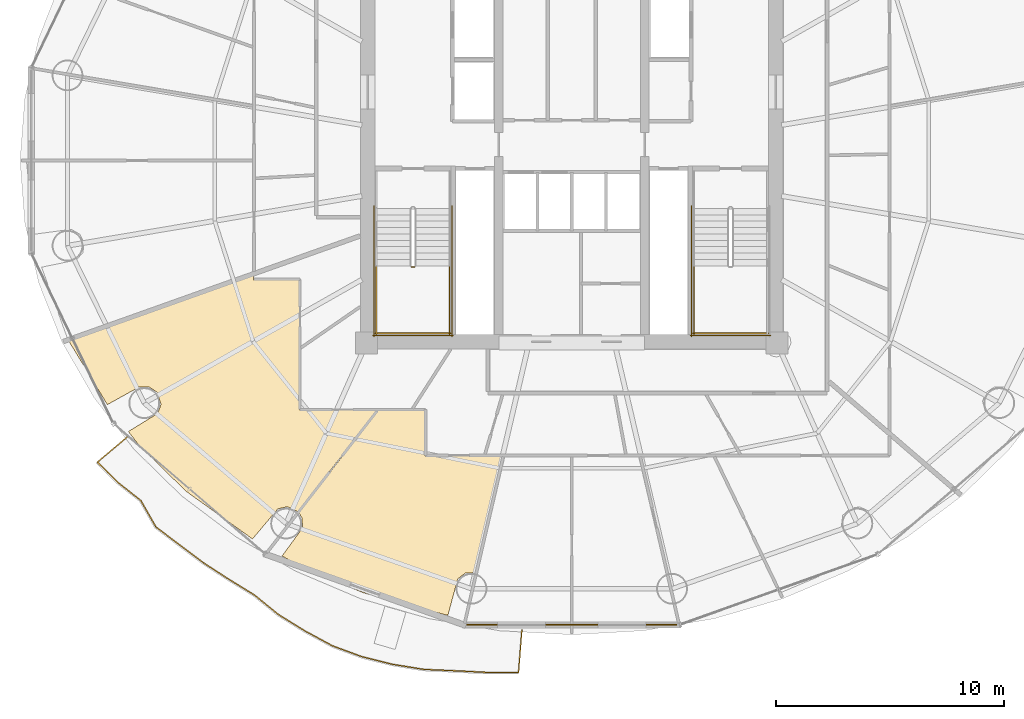
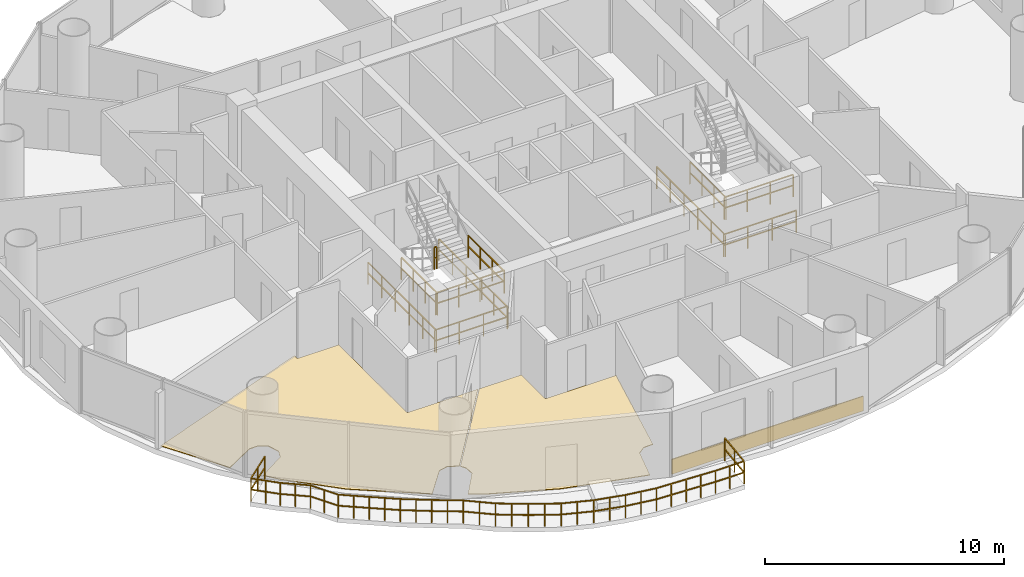
# One storey, part 25 of 27: 12 railings, 3 coverings.
"""IFC4 building model written with IfcOpenShell, lengths in metres."""

from ifc_helpers import new_model, si_unit, direction, frame, origin, origin_2d, place, context, subcontext, project, spatial, polyline, rectangle, outline, extrude, source, transform, mapped, material, layer, layer_set, type_object, element, save


model = new_model("IFC4")

# Units and contexts
model_context = context("Model", 3, precision=1e-05, world=origin(), true_north=direction((-0.2419218956, 0.970295726276)))
body_context = subcontext(model_context, "Body", "Model", "MODEL_VIEW")
ifc_project = project(units=[si_unit("LENGTHUNIT", "METRE"), si_unit("AREAUNIT", "SQUARE_METRE"), si_unit("VOLUMEUNIT", "CUBIC_METRE"), si_unit("PLANEANGLEUNIT", "RADIAN"), si_unit("MASSUNIT", "GRAM", prefix="KILO")], contexts=[model_context])

# Site, building, storey
site_placement = place(None, origin())
site = spatial("IfcSite", under=ifc_project, at=site_placement, CompositionType="ELEMENT")
building_placement = place(site_placement, origin())
building = spatial("IfcBuilding", under=site, at=building_placement, Name="Cobrevalo Terracotta Tower", CompositionType="ELEMENT")
storey_placement = place(building_placement, frame((0.0, 0.0, 146.199951171875)))
storey = spatial("IfcBuildingStorey", under=building, at=storey_placement, Name="L38", CompositionType="ELEMENT", Elevation=146.199951171875)

# Railing
ifc_material_1 = material(Name="Laminated structural glass and stainless steel", Category="steel")
railing_type_1 = type_object("IfcRailingType", Name="Balcony lobe structural glass & terracotta-cap balustrade 1180 mm", PredefinedType="BALUSTRADE", material=ifc_material_1)
railing_1_placement = place(storey_placement, frame((18.499755859375, 14.6708984375, 0.0)))
element("IfcRailing", 1, at=railing_1_placement, inside=storey, type_object=railing_type_1, Name="L38 spiralling balcony lobe balustrade 2", PredefinedType="BALUSTRADE", context=body_context, shape_type="SweptSolid", body=[
    extrude(rectangle(XDim=0.048095703125, YDim=0.048095703125, at=origin_2d()), frame((0.0, 0.0, 1.15576171875), z_axis=(-0.765211547873, -0.643778911585, 0.0), x_axis=(0.643778911585, -0.765211547873, 0.0)), (0.0, 0.0, 1.0), 1.70703125),
    extrude(rectangle(XDim=0.048095703125, YDim=0.048095703125, at=origin_2d()), frame((0.0, 0.0, 0.58984375), z_axis=(-0.765211547873, -0.643778911585, 0.0), x_axis=(0.643778911585, -0.765211547873, 0.0)), (0.0, 0.0, 1.0), 1.70703125),
    extrude(rectangle(XDim=0.048095703125, YDim=0.048095703125, at=origin_2d()), frame((-1.30615234375, -1.098876953125, 1.15576171875), z_axis=(0.71037992519, -0.703818415422, 0.0), x_axis=(0.703818415422, 0.71037992519, 0.0)), (0.0, 0.0, 1.0), 1.26513671875),
    extrude(rectangle(XDim=0.048095703125, YDim=0.048095703125, at=origin_2d()), frame((-1.30615234375, -1.098876953125, 0.58984375), z_axis=(0.71037992519, -0.703818415422, 0.0), x_axis=(0.703818415422, 0.71037992519, 0.0)), (0.0, 0.0, 1.0), 1.26513671875),
    extrude(rectangle(XDim=0.048095703125, YDim=0.048095703125, at=origin_2d()), frame((-0.407470703125, -1.9892578125, 1.15576171875), z_axis=(0.78546356705, -0.618907896893, 0.0), x_axis=(0.618907896893, 0.78546356705, 0.0)), (0.0, 0.0, 1.0), 1.279541015625),
    extrude(rectangle(XDim=0.048095703125, YDim=0.048095703125, at=origin_2d()), frame((-0.407470703125, -1.9892578125, 0.58984375), z_axis=(0.78546356705, -0.618907896893, 0.0), x_axis=(0.618907896893, 0.78546356705, 0.0)), (0.0, 0.0, 1.0), 1.279541015625),
    extrude(rectangle(XDim=0.048095703125, YDim=0.048095703125, at=origin_2d()), frame((0.59765625, -2.78125, 1.15576171875), z_axis=(0.496570458137, -0.867996417104, 0.0), x_axis=(0.867996417104, 0.496570458137, 0.0)), (0.0, 0.0, 1.0), 1.34033203125),
    extrude(rectangle(XDim=0.048095703125, YDim=0.048095703125, at=origin_2d()), frame((0.59765625, -2.78125, 0.58984375), z_axis=(0.496570458137, -0.867996417104, 0.0), x_axis=(0.867996417104, 0.496570458137, 0.0)), (0.0, 0.0, 1.0), 1.34033203125),
    extrude(rectangle(XDim=0.048095703125, YDim=0.048095703125, at=origin_2d()), frame((1.26318359375, -3.944580078125, 1.15576171875), z_axis=(0.797212008184, -0.603699440125, 0.0), x_axis=(0.603699440125, 0.797212008184, 0.0)), (0.0, 0.0, 1.0), 1.30712890625),
    extrude(rectangle(XDim=0.048095703125, YDim=0.048095703125, at=origin_2d()), frame((1.26318359375, -3.944580078125, 0.58984375), z_axis=(0.797212008184, -0.603699440125, 0.0), x_axis=(0.603699440125, 0.797212008184, 0.0)), (0.0, 0.0, 1.0), 1.30712890625),
    extrude(rectangle(XDim=0.048095703125, YDim=0.048095703125, at=origin_2d()), frame((2.30517578125, -4.733642578125, 1.15576171875), z_axis=(0.79950588355, -0.600658257389, 0.0), x_axis=(0.600658257389, 0.79950588355, 0.0)), (0.0, 0.0, 1.0), 1.30517578125),
    extrude(rectangle(XDim=0.048095703125, YDim=0.048095703125, at=origin_2d()), frame((2.30517578125, -4.733642578125, 0.58984375), z_axis=(0.79950588355, -0.600658257389, 0.0), x_axis=(0.600658257389, 0.79950588355, 0.0)), (0.0, 0.0, 1.0), 1.30517578125),
    extrude(rectangle(XDim=0.048095703125, YDim=0.048095703125, at=origin_2d()), frame((3.3486328125, -5.517578125, 1.15576171875), z_axis=(0.839295869754, -0.543674942418, 0.0), x_axis=(0.543674942418, 0.839295869754, 0.0)), (0.0, 0.0, 1.0), 1.31396484375),
    extrude(rectangle(XDim=0.048095703125, YDim=0.048095703125, at=origin_2d()), frame((3.3486328125, -5.517578125, 0.58984375), z_axis=(0.839295869754, -0.543674942418, 0.0), x_axis=(0.543674942418, 0.839295869754, 0.0)), (0.0, 0.0, 1.0), 1.31396484375),
    extrude(rectangle(XDim=0.048095703125, YDim=0.048095703125, at=origin_2d()), frame((4.451416015625, -6.23193359375, 1.15576171875), z_axis=(0.851721526371, -0.523994696077, 0.0), x_axis=(0.523994696077, 0.851721526371, 0.0)), (0.0, 0.0, 1.0), 1.325927734375),
    extrude(rectangle(XDim=0.048095703125, YDim=0.048095703125, at=origin_2d()), frame((4.451416015625, -6.23193359375, 0.58984375), z_axis=(0.851721526371, -0.523994696077, 0.0), x_axis=(0.523994696077, 0.851721526371, 0.0)), (0.0, 0.0, 1.0), 1.325927734375),
    extrude(rectangle(XDim=0.048095703125, YDim=0.048095703125, at=origin_2d()), frame((5.580810546875, -6.9267578125, 1.15576171875), z_axis=(0.775745938629, -0.631045353918, 0.0), x_axis=(0.631045353918, 0.775745938629, 0.0)), (0.0, 0.0, 1.0), 1.35986328125),
    extrude(rectangle(XDim=0.048095703125, YDim=0.048095703125, at=origin_2d()), frame((5.580810546875, -6.9267578125, 0.58984375), z_axis=(0.775745938629, -0.631045353918, 0.0), x_axis=(0.631045353918, 0.775745938629, 0.0)), (0.0, 0.0, 1.0), 1.35986328125),
    extrude(rectangle(XDim=0.048095703125, YDim=0.048095703125, at=origin_2d()), frame((6.6357421875, -7.784912109375, 1.15576171875), z_axis=(0.850819083963, -0.525458738975, 0.0), x_axis=(0.525458738975, 0.850819083963, 0.0)), (0.0, 0.0, 1.0), 1.3701171875),
    extrude(rectangle(XDim=0.048095703125, YDim=0.048095703125, at=origin_2d()), frame((6.6357421875, -7.784912109375, 0.58984375), z_axis=(0.850819083963, -0.525458738975, 0.0), x_axis=(0.525458738975, 0.850819083963, 0.0)), (0.0, 0.0, 1.0), 1.3701171875),
    extrude(rectangle(XDim=0.048095703125, YDim=0.048095703125, at=origin_2d()), frame((7.801513671875, -8.5048828125, 1.15576171875), z_axis=(0.879517881718, -0.47586583796, 0.0), x_axis=(0.47586583796, 0.879517881718, 0.0)), (0.0, 0.0, 1.0), 1.3759765625),
    extrude(rectangle(XDim=0.048095703125, YDim=0.048095703125, at=origin_2d()), frame((7.801513671875, -8.5048828125, 0.58984375), z_axis=(0.879517881718, -0.47586583796, 0.0), x_axis=(0.47586583796, 0.879517881718, 0.0)), (0.0, 0.0, 1.0), 1.3759765625),
    extrude(rectangle(XDim=0.048095703125, YDim=0.048095703125, at=origin_2d()), frame((9.01171875, -9.15966796875, 1.15576171875), z_axis=(0.938494188168, -0.345295031496, 0.0), x_axis=(0.345295031496, 0.938494188168, 0.0)), (0.0, 0.0, 1.0), 1.378662109375),
    extrude(rectangle(XDim=0.048095703125, YDim=0.048095703125, at=origin_2d()), frame((9.01171875, -9.15966796875, 0.58984375), z_axis=(0.938494188168, -0.345295031496, 0.0), x_axis=(0.345295031496, 0.938494188168, 0.0)), (0.0, 0.0, 1.0), 1.378662109375),
    extrude(rectangle(XDim=0.048095703125, YDim=0.048095703125, at=origin_2d()), frame((10.3056640625, -9.6357421875, 1.15576171875), z_axis=(0.970699518267, -0.240296577662, 0.0), x_axis=(0.240296577662, 0.970699518267, 0.0)), (0.0, 0.0, 1.0), 1.3857421875),
    extrude(rectangle(XDim=0.048095703125, YDim=0.048095703125, at=origin_2d()), frame((10.3056640625, -9.6357421875, 0.58984375), z_axis=(0.970699518267, -0.240296577662, 0.0), x_axis=(0.240296577662, 0.970699518267, 0.0)), (0.0, 0.0, 1.0), 1.3857421875),
    extrude(rectangle(XDim=0.048095703125, YDim=0.048095703125, at=origin_2d()), frame((11.65087890625, -9.96875, 1.15576171875), z_axis=(0.987090407855, -0.160164061889, 0.0), x_axis=(0.160164061889, 0.987090407855, 0.0)), (0.0, 0.0, 1.0), 1.384033203125),
    extrude(rectangle(XDim=0.048095703125, YDim=0.048095703125, at=origin_2d()), frame((11.65087890625, -9.96875, 0.58984375), z_axis=(0.987090407855, -0.160164061889, 0.0), x_axis=(0.160164061889, 0.987090407855, 0.0)), (0.0, 0.0, 1.0), 1.384033203125),
    extrude(rectangle(XDim=0.048095703125, YDim=0.048095703125, at=origin_2d()), frame((13.01708984375, -10.1904296875, 1.15576171875), z_axis=(0.999029931504, -0.044036302736, 0.0), x_axis=(0.044036302736, 0.999029931504, 0.0)), (0.0, 0.0, 1.0), 1.397216796875),
    extrude(rectangle(XDim=0.048095703125, YDim=0.048095703125, at=origin_2d()), frame((13.01708984375, -10.1904296875, 0.58984375), z_axis=(0.999029931504, -0.044036302736, 0.0), x_axis=(0.044036302736, 0.999029931504, 0.0)), (0.0, 0.0, 1.0), 1.397216796875),
    extrude(rectangle(XDim=0.048095703125, YDim=0.048095703125, at=origin_2d()), frame((14.412841796875, -10.251953125, 1.15576171875), z_axis=(0.998727504832, -0.050431846009, 0.0), x_axis=(0.050431846009, 0.998727504832, 0.0)), (0.0, 0.0, 1.0), 1.379638671875),
    extrude(rectangle(XDim=0.048095703125, YDim=0.048095703125, at=origin_2d()), frame((14.412841796875, -10.251953125, 0.58984375), z_axis=(0.998727504832, -0.050431846009, 0.0), x_axis=(0.050431846009, 0.998727504832, 0.0)), (0.0, 0.0, 1.0), 1.379638671875),
    extrude(rectangle(XDim=0.048095703125, YDim=0.048095703125, at=origin_2d()), frame((15.790771484375, -10.321533203125, 1.15576171875), z_axis=(0.999999748325, -0.000709471265, 0.0), x_axis=(0.000709471265, 0.999999748325, 0.0)), (0.0, 0.0, 1.0), 1.37646484375),
    extrude(rectangle(XDim=0.048095703125, YDim=0.048095703125, at=origin_2d()), frame((15.790771484375, -10.321533203125, 0.58984375), z_axis=(0.999999748325, -0.000709471265, 0.0), x_axis=(0.000709471265, 0.999999748325, 0.0)), (0.0, 0.0, 1.0), 1.37646484375),
    extrude(rectangle(XDim=0.048095703125, YDim=0.048095703125, at=origin_2d()), frame((17.167236328125, -10.322509765625, 1.15576171875), z_axis=(0.078313338129, 0.996928794384, 0.0), x_axis=(-0.996928794384, 0.078313338129, 0.0)), (0.0, 0.0, 1.0), 1.87060546875),
    extrude(rectangle(XDim=0.048095703125, YDim=0.048095703125, at=origin_2d()), frame((17.167236328125, -10.322509765625, 0.58984375), z_axis=(0.078313338129, 0.996928794384, 0.0), x_axis=(-0.996928794384, 0.078313338129, 0.0)), (0.0, 0.0, 1.0), 1.87060546875),
    extrude(rectangle(XDim=0.0419921875, YDim=0.0419921875, at=origin_2d()), origin(), (0.0, 0.0, 1.0), 1.1318359375),
    extrude(rectangle(XDim=0.0419921875, YDim=0.0419921875, at=origin_2d()), frame((-0.653076171875, -0.54931640625, 0.0)), (0.0, 0.0, 1.0), 1.1318359375),
    extrude(rectangle(XDim=0.0419921875, YDim=0.0419921875, at=origin_2d()), frame((-1.30615234375, -1.098876953125, 0.0)), (0.0, 0.0, 1.0), 1.1318359375),
    extrude(rectangle(XDim=0.0419921875, YDim=0.0419921875, at=origin_2d()), frame((-0.85693359375, -1.5439453125, 0.0)), (0.0, 0.0, 1.0), 1.1318359375),
    extrude(rectangle(XDim=0.0419921875, YDim=0.0419921875, at=origin_2d()), frame((-0.407470703125, -1.9892578125, 0.0)), (0.0, 0.0, 1.0), 1.1318359375),
    extrude(rectangle(XDim=0.0419921875, YDim=0.0419921875, at=origin_2d()), frame((0.09521484375, -2.38525390625, 0.0)), (0.0, 0.0, 1.0), 1.1318359375),
    extrude(rectangle(XDim=0.0419921875, YDim=0.0419921875, at=origin_2d()), frame((0.59765625, -2.78125, 0.0)), (0.0, 0.0, 1.0), 1.1318359375),
    extrude(rectangle(XDim=0.0419921875, YDim=0.0419921875, at=origin_2d()), frame((0.930419921875, -3.36279296875, 0.0)), (0.0, 0.0, 1.0), 1.1318359375),
    extrude(rectangle(XDim=0.0419921875, YDim=0.0419921875, at=origin_2d()), frame((1.26318359375, -3.944580078125, 0.0)), (0.0, 0.0, 1.0), 1.1318359375),
    extrude(rectangle(XDim=0.0419921875, YDim=0.0419921875, at=origin_2d()), frame((1.7841796875, -4.339111328125, 0.0)), (0.0, 0.0, 1.0), 1.1318359375),
    extrude(rectangle(XDim=0.0419921875, YDim=0.0419921875, at=origin_2d()), frame((2.30517578125, -4.733642578125, 0.0)), (0.0, 0.0, 1.0), 1.1318359375),
    extrude(rectangle(XDim=0.0419921875, YDim=0.0419921875, at=origin_2d()), frame((2.826904296875, -5.12548828125, 0.0)), (0.0, 0.0, 1.0), 1.1318359375),
    extrude(rectangle(XDim=0.0419921875, YDim=0.0419921875, at=origin_2d()), frame((3.3486328125, -5.517578125, 0.0)), (0.0, 0.0, 1.0), 1.1318359375),
    extrude(rectangle(XDim=0.0419921875, YDim=0.0419921875, at=origin_2d()), frame((3.89990234375, -5.874755859375, 0.0)), (0.0, 0.0, 1.0), 1.1318359375),
    extrude(rectangle(XDim=0.0419921875, YDim=0.0419921875, at=origin_2d()), frame((4.451416015625, -6.23193359375, 0.0)), (0.0, 0.0, 1.0), 1.1318359375),
    extrude(rectangle(XDim=0.0419921875, YDim=0.0419921875, at=origin_2d()), frame((5.01611328125, -6.579345703125, 0.0)), (0.0, 0.0, 1.0), 1.1318359375),
    extrude(rectangle(XDim=0.0419921875, YDim=0.0419921875, at=origin_2d()), frame((5.580810546875, -6.9267578125, 0.0)), (0.0, 0.0, 1.0), 1.1318359375),
    extrude(rectangle(XDim=0.0419921875, YDim=0.0419921875, at=origin_2d()), frame((6.1083984375, -7.35595703125, 0.0)), (0.0, 0.0, 1.0), 1.1318359375),
    extrude(rectangle(XDim=0.0419921875, YDim=0.0419921875, at=origin_2d()), frame((6.6357421875, -7.784912109375, 0.0)), (0.0, 0.0, 1.0), 1.1318359375),
    extrude(rectangle(XDim=0.0419921875, YDim=0.0419921875, at=origin_2d()), frame((7.21875, -8.14501953125, 0.0)), (0.0, 0.0, 1.0), 1.1318359375),
    extrude(rectangle(XDim=0.0419921875, YDim=0.0419921875, at=origin_2d()), frame((7.801513671875, -8.5048828125, 0.0)), (0.0, 0.0, 1.0), 1.1318359375),
    extrude(rectangle(XDim=0.0419921875, YDim=0.0419921875, at=origin_2d()), frame((8.40673828125, -8.832275390625, 0.0)), (0.0, 0.0, 1.0), 1.1318359375),
    extrude(rectangle(XDim=0.0419921875, YDim=0.0419921875, at=origin_2d()), frame((9.01171875, -9.15966796875, 0.0)), (0.0, 0.0, 1.0), 1.1318359375),
    extrude(rectangle(XDim=0.0419921875, YDim=0.0419921875, at=origin_2d()), frame((9.65869140625, -9.397705078125, 0.0)), (0.0, 0.0, 1.0), 1.1318359375),
    extrude(rectangle(XDim=0.0419921875, YDim=0.0419921875, at=origin_2d()), frame((10.3056640625, -9.6357421875, 0.0)), (0.0, 0.0, 1.0), 1.1318359375),
    extrude(rectangle(XDim=0.0419921875, YDim=0.0419921875, at=origin_2d()), frame((10.978271484375, -9.80224609375, 0.0)), (0.0, 0.0, 1.0), 1.1318359375),
    extrude(rectangle(XDim=0.0419921875, YDim=0.0419921875, at=origin_2d()), frame((11.65087890625, -9.96875, 0.0)), (0.0, 0.0, 1.0), 1.1318359375),
    extrude(rectangle(XDim=0.0419921875, YDim=0.0419921875, at=origin_2d()), frame((12.333984375, -10.07958984375, 0.0)), (0.0, 0.0, 1.0), 1.1318359375),
    extrude(rectangle(XDim=0.0419921875, YDim=0.0419921875, at=origin_2d()), frame((13.01708984375, -10.1904296875, 0.0)), (0.0, 0.0, 1.0), 1.1318359375),
    extrude(rectangle(XDim=0.0419921875, YDim=0.0419921875, at=origin_2d()), frame((13.71484375, -10.22119140625, 0.0)), (0.0, 0.0, 1.0), 1.1318359375),
    extrude(rectangle(XDim=0.0419921875, YDim=0.0419921875, at=origin_2d()), frame((14.412841796875, -10.251953125, 0.0)), (0.0, 0.0, 1.0), 1.1318359375),
    extrude(rectangle(XDim=0.0419921875, YDim=0.0419921875, at=origin_2d()), frame((15.101806640625, -10.28662109375, 0.0)), (0.0, 0.0, 1.0), 1.1318359375),
    extrude(rectangle(XDim=0.0419921875, YDim=0.0419921875, at=origin_2d()), frame((15.790771484375, -10.321533203125, 0.0)), (0.0, 0.0, 1.0), 1.1318359375),
    extrude(rectangle(XDim=0.0419921875, YDim=0.0419921875, at=origin_2d()), frame((16.47900390625, -10.322021484375, 0.0)), (0.0, 0.0, 1.0), 1.1318359375),
    extrude(rectangle(XDim=0.0419921875, YDim=0.0419921875, at=origin_2d()), frame((17.167236328125, -10.322509765625, 0.0)), (0.0, 0.0, 1.0), 1.1318359375),
    extrude(rectangle(XDim=0.0419921875, YDim=0.0419921875, at=origin_2d()), frame((17.240478515625, -9.39013671875, 0.0)), (0.0, 0.0, 1.0), 1.1318359375),
    extrude(rectangle(XDim=0.0419921875, YDim=0.0419921875, at=origin_2d()), frame((17.313720703125, -8.457763671875, 0.0)), (0.0, 0.0, 1.0), 1.1318359375),
])

# Coverings
ifc_material_2 = material(Name="Engineered Brazilian hardwood flooring", Category="wood")
ifc_layer_1 = layer(ifc_material_2, 0.028076171875)
ifc_layer_set_1 = layer_set([ifc_layer_1], Name="Engineered Brazilian hardwood flooring")
covering_type_1 = type_object("IfcCoveringType", Name="Engineered Hardwood Suite Flooring 28", PredefinedType="FLOORING", material=ifc_layer_set_1)
covering_1_placement = place(storey_placement, origin())
element("IfcCovering", 2, at=covering_1_placement, inside=storey, type_object=covering_type_1, Name="Flat L38B Living and Dining Room floor finish", PredefinedType="FLOORING", context=body_context, shape_type="SweptSolid", body=[
    extrude(outline(polyline([(21.0849609375, 12.291259765625), (19.02197265625, 14.309326171875), (18.551513671875, 14.91357421875), (19.834228515625, 15.705810546875), (19.988525390625, 16.10693359375), (19.810302734375, 16.64453125), (19.447265625, 16.874267578125), (19.017822265625, 16.863525390625), (17.632568359375, 16.09375), (15.918212890625, 18.917236328125), (24.044921875, 21.810546875), (24.044921875, 21.570068359375), (26.054931640625, 21.570068359375), (26.054931640625, 15.85498046875), (29.466064453125, 15.85498046875), (25.997802734375, 11.3935546875), (25.529296875, 11.615234375), (25.109619140625, 11.522705078125), (23.99755859375, 10.2001953125), (21.0849609375, 12.291259765625)])), origin(), (0.0, 0.0, 1.0), 0.030029296875),
])
covering_2_placement = place(storey_placement, origin())
element("IfcCovering", 3, at=covering_2_placement, inside=storey, type_object=covering_type_1, Name="Flat L38B Master Bedroom floor finish", PredefinedType="FLOORING", context=body_context, shape_type="SweptSolid", body=[
    extrude(outline(polyline([(28.84521484375, 7.84228515625), (26.038818359375, 9.02978515625), (25.295166015625, 9.4560546875), (26.184326171875, 10.67724609375), (26.175537109375, 11.106689453125), (26.02490234375, 11.363525390625), (29.5166015625, 15.85498046875), (31.570068359375, 15.85498046875), (31.570068359375, 13.844970703125), (34.9814453125, 13.844970703125), (33.796630859375, 8.72607421875), (33.3408203125, 8.7109375), (32.99951171875, 8.44970703125), (32.567138671875, 6.849853515625), (28.84521484375, 7.84228515625)])), origin(), (0.0, 0.0, 1.0), 0.030029296875),
])

# Railings
ifc_material_3 = material(Name="Painted galvanized steel", Category="steel")
railing_type_2 = type_object("IfcRailingType", Name="Stair Well Guard Balustrade 1150", PredefinedType="GUARDRAIL", material=ifc_material_3)
railing_2_placement = place(storey_placement, frame((30.97509765625, 22.1298828125, 1.800048828125)))
element("IfcRailing", 4, at=railing_2_placement, inside=storey, type_object=railing_type_2, Name="L38 ST-1 stair guard 2", PredefinedType="GUARDRAIL", context=body_context, shape_type="SweptSolid", body=[
    extrude(rectangle(XDim=0.048095703125, YDim=0.048095703125, at=origin_2d()), frame((0.0, 0.0, 1.1259765625), z_axis=(1.0, 0.0, 0.0), x_axis=(0.0, 1.0, 0.0)), (0.0, 0.0, 1.0), 0.119873046875),
    extrude(rectangle(XDim=0.048095703125, YDim=0.048095703125, at=origin_2d()), frame((0.0, 0.0, 0.574951171875), z_axis=(1.0, 0.0, 0.0), x_axis=(0.0, 1.0, 0.0)), (0.0, 0.0, 1.0), 0.119873046875),
    extrude(rectangle(XDim=0.0419921875, YDim=0.0419921875, at=origin_2d()), origin(), (0.0, 0.0, 1.0), 1.101806640625),
    extrude(rectangle(XDim=0.0419921875, YDim=0.0419921875, at=origin_2d()), frame((0.119873046875, 0.0, 0.0)), (0.0, 0.0, 1.0), 1.101806640625),
])
for number, where, name in (
    (5, (29.425048828125, 22.179931640625, 1.800048828125), "L38 ST-1 stair guard 3"),
    (6, (32.64501953125, 22.179931640625, 1.800048828125), "L38 ST-1 stair guard 4"),
):
    element("IfcRailing", number, at=place(storey_placement, frame(where)), inside=storey, type_object=railing_type_2, Name=name, PredefinedType="GUARDRAIL", context=body_context, shape_type="SweptSolid", body=[
        extrude(rectangle(XDim=0.048095703125, YDim=0.048095703125, at=origin_2d()), frame((0.0, 0.0, 1.1259765625), z_axis=(0.0, -1.0, 0.0), x_axis=(1.0, 0.0, 0.0)), (0.0, 0.0, 1.0), 3.0048828125),
        extrude(rectangle(XDim=0.048095703125, YDim=0.048095703125, at=origin_2d()), frame((0.0, 0.0, 0.574951171875), z_axis=(0.0, -1.0, 0.0), x_axis=(1.0, 0.0, 0.0)), (0.0, 0.0, 1.0), 3.0048828125),
        extrude(rectangle(XDim=0.0419921875, YDim=0.0419921875, at=origin_2d()), origin(), (0.0, 0.0, 1.0), 1.101806640625),
        extrude(rectangle(XDim=0.0419921875, YDim=0.0419921875, at=origin_2d()), frame((0.0, -1.001708984375, 0.0)), (0.0, 0.0, 1.0), 1.101806640625),
        extrude(rectangle(XDim=0.0419921875, YDim=0.0419921875, at=origin_2d()), frame((0.0, -2.003173828125, 0.0)), (0.0, 0.0, 1.0), 1.101806640625),
        extrude(rectangle(XDim=0.0419921875, YDim=0.0419921875, at=origin_2d()), frame((0.0, -3.0048828125, 0.0)), (0.0, 0.0, 1.0), 1.101806640625),
    ])
railing_3_placement = place(storey_placement, frame((29.375, 19.22509765625, 1.800048828125)))
element("IfcRailing", 7, at=railing_3_placement, inside=storey, type_object=railing_type_2, Name="L38 ST-1 stair guard 5", PredefinedType="GUARDRAIL", context=body_context, shape_type="SweptSolid", body=[
    extrude(rectangle(XDim=0.048095703125, YDim=0.048095703125, at=origin_2d()), frame((0.0, 0.0, 1.1259765625), z_axis=(1.0, 0.0, 0.0), x_axis=(0.0, 1.0, 0.0)), (0.0, 0.0, 1.0), 3.320068359375),
    extrude(rectangle(XDim=0.048095703125, YDim=0.048095703125, at=origin_2d()), frame((0.0, 0.0, 0.574951171875), z_axis=(1.0, 0.0, 0.0), x_axis=(0.0, 1.0, 0.0)), (0.0, 0.0, 1.0), 3.320068359375),
    extrude(rectangle(XDim=0.0419921875, YDim=0.0419921875, at=origin_2d()), origin(), (0.0, 0.0, 1.0), 1.101806640625),
    extrude(rectangle(XDim=0.0419921875, YDim=0.0419921875, at=origin_2d()), frame((1.106689453125, 0.0, 0.0)), (0.0, 0.0, 1.0), 1.101806640625),
    extrude(rectangle(XDim=0.0419921875, YDim=0.0419921875, at=origin_2d()), frame((2.21337890625, 0.0, 0.0)), (0.0, 0.0, 1.0), 1.101806640625),
    extrude(rectangle(XDim=0.0419921875, YDim=0.0419921875, at=origin_2d()), frame((3.320068359375, 0.0, 0.0)), (0.0, 0.0, 1.0), 1.101806640625),
])
for number, where, name in (
    (8, (29.324951171875, 24.800048828125, 0.0), "L38 ST-1 stair guard 10"),
    (9, (32.7451171875, 24.800048828125, 0.0), "L38 ST-1 stair guard 11"),
):
    element("IfcRailing", number, at=place(storey_placement, frame(where)), inside=storey, type_object=railing_type_2, Name=name, PredefinedType="GUARDRAIL", context=body_context, shape_type="SweptSolid", body=[
        extrude(rectangle(XDim=0.048095703125, YDim=0.048095703125, at=origin_2d()), frame((0.0, 0.0, 1.1259765625), z_axis=(0.0, -1.0, 0.0), x_axis=(1.0, 0.0, 0.0)), (0.0, 0.0, 1.0), 5.72509765625),
        extrude(rectangle(XDim=0.048095703125, YDim=0.048095703125, at=origin_2d()), frame((0.0, 0.0, 0.574951171875), z_axis=(0.0, -1.0, 0.0), x_axis=(1.0, 0.0, 0.0)), (0.0, 0.0, 1.0), 5.72509765625),
        extrude(rectangle(XDim=0.0419921875, YDim=0.0419921875, at=origin_2d()), origin(), (0.0, 0.0, 1.0), 1.101806640625),
        extrude(rectangle(XDim=0.0419921875, YDim=0.0419921875, at=origin_2d()), frame((0.0, -1.14501953125, 0.0)), (0.0, 0.0, 1.0), 1.101806640625),
        extrude(rectangle(XDim=0.0419921875, YDim=0.0419921875, at=origin_2d()), frame((0.0, -2.2900390625, 0.0)), (0.0, 0.0, 1.0), 1.101806640625),
        extrude(rectangle(XDim=0.0419921875, YDim=0.0419921875, at=origin_2d()), frame((0.0, -3.43505859375, 0.0)), (0.0, 0.0, 1.0), 1.101806640625),
        extrude(rectangle(XDim=0.0419921875, YDim=0.0419921875, at=origin_2d()), frame((0.0, -4.580078125, 0.0)), (0.0, 0.0, 1.0), 1.101806640625),
        extrude(rectangle(XDim=0.0419921875, YDim=0.0419921875, at=origin_2d()), frame((0.0, -5.72509765625, 0.0)), (0.0, 0.0, 1.0), 1.101806640625),
    ])
railing_4_placement = place(storey_placement, frame((29.27490234375, 19.125, 0.0)))
element("IfcRailing", 10, at=railing_4_placement, inside=storey, type_object=railing_type_2, Name="L38 ST-1 stair guard 12", PredefinedType="GUARDRAIL", context=body_context, shape_type="SweptSolid", body=[
    extrude(rectangle(XDim=0.048095703125, YDim=0.048095703125, at=origin_2d()), frame((0.0, 0.0, 1.1259765625), z_axis=(1.0, 0.0, 0.0), x_axis=(0.0, 1.0, 0.0)), (0.0, 0.0, 1.0), 3.52001953125),
    extrude(rectangle(XDim=0.048095703125, YDim=0.048095703125, at=origin_2d()), frame((0.0, 0.0, 0.574951171875), z_axis=(1.0, 0.0, 0.0), x_axis=(0.0, 1.0, 0.0)), (0.0, 0.0, 1.0), 3.52001953125),
    extrude(rectangle(XDim=0.0419921875, YDim=0.0419921875, at=origin_2d()), origin(), (0.0, 0.0, 1.0), 1.101806640625),
    extrude(rectangle(XDim=0.0419921875, YDim=0.0419921875, at=origin_2d()), frame((1.17333984375, 0.0, 0.0)), (0.0, 0.0, 1.0), 1.101806640625),
    extrude(rectangle(XDim=0.0419921875, YDim=0.0419921875, at=origin_2d()), frame((2.3466796875, 0.0, 0.0)), (0.0, 0.0, 1.0), 1.101806640625),
    extrude(rectangle(XDim=0.0419921875, YDim=0.0419921875, at=origin_2d()), frame((3.52001953125, 0.0, 0.0)), (0.0, 0.0, 1.0), 1.101806640625),
])
railing_5_placement = place(storey_placement, frame((43.35498046875, 22.179931640625, 1.800048828125)))
element("IfcRailing", 11, at=railing_5_placement, inside=storey, type_object=railing_type_2, Name="L38 ST-2 stair guard 3", PredefinedType="GUARDRAIL", context=body_context, shape_type="SweptSolid", body=[
    extrude(rectangle(XDim=0.048095703125, YDim=0.048095703125, at=origin_2d()), frame((0.0, 0.0, 1.1259765625), z_axis=(0.0, -1.0, 0.0), x_axis=(1.0, 0.0, 0.0)), (0.0, 0.0, 1.0), 3.0048828125),
    extrude(rectangle(XDim=0.048095703125, YDim=0.048095703125, at=origin_2d()), frame((0.0, 0.0, 0.574951171875), z_axis=(0.0, -1.0, 0.0), x_axis=(1.0, 0.0, 0.0)), (0.0, 0.0, 1.0), 3.0048828125),
    extrude(rectangle(XDim=0.0419921875, YDim=0.0419921875, at=origin_2d()), origin(), (0.0, 0.0, 1.0), 1.101806640625),
    extrude(rectangle(XDim=0.0419921875, YDim=0.0419921875, at=origin_2d()), frame((0.0, -1.001708984375, 0.0)), (0.0, 0.0, 1.0), 1.101806640625),
    extrude(rectangle(XDim=0.0419921875, YDim=0.0419921875, at=origin_2d()), frame((0.0, -2.003173828125, 0.0)), (0.0, 0.0, 1.0), 1.101806640625),
    extrude(rectangle(XDim=0.0419921875, YDim=0.0419921875, at=origin_2d()), frame((0.0, -3.0048828125, 0.0)), (0.0, 0.0, 1.0), 1.101806640625),
])
railing_6_placement = place(storey_placement, frame((43.304931640625, 19.22509765625, 1.800048828125)))
element("IfcRailing", 12, at=railing_6_placement, inside=storey, type_object=railing_type_2, Name="L38 ST-2 stair guard 5", PredefinedType="GUARDRAIL", context=body_context, shape_type="SweptSolid", body=[
    extrude(rectangle(XDim=0.048095703125, YDim=0.048095703125, at=origin_2d()), frame((0.0, 0.0, 1.1259765625), z_axis=(1.0, 0.0, 0.0), x_axis=(0.0, 1.0, 0.0)), (0.0, 0.0, 1.0), 3.320068359375),
    extrude(rectangle(XDim=0.048095703125, YDim=0.048095703125, at=origin_2d()), frame((0.0, 0.0, 0.574951171875), z_axis=(1.0, 0.0, 0.0), x_axis=(0.0, 1.0, 0.0)), (0.0, 0.0, 1.0), 3.320068359375),
    extrude(rectangle(XDim=0.0419921875, YDim=0.0419921875, at=origin_2d()), origin(), (0.0, 0.0, 1.0), 1.101806640625),
    extrude(rectangle(XDim=0.0419921875, YDim=0.0419921875, at=origin_2d()), frame((1.106689453125, 0.0, 0.0)), (0.0, 0.0, 1.0), 1.101806640625),
    extrude(rectangle(XDim=0.0419921875, YDim=0.0419921875, at=origin_2d()), frame((2.21337890625, 0.0, 0.0)), (0.0, 0.0, 1.0), 1.101806640625),
    extrude(rectangle(XDim=0.0419921875, YDim=0.0419921875, at=origin_2d()), frame((3.320068359375, 0.0, 0.0)), (0.0, 0.0, 1.0), 1.101806640625),
])
railing_7_placement = place(storey_placement, frame((43.2548828125, 24.800048828125, 0.0)))
element("IfcRailing", 13, at=railing_7_placement, inside=storey, type_object=railing_type_2, Name="L38 ST-2 stair guard 10", PredefinedType="GUARDRAIL", context=body_context, shape_type="SweptSolid", body=[
    extrude(rectangle(XDim=0.048095703125, YDim=0.048095703125, at=origin_2d()), frame((0.0, 0.0, 1.1259765625), z_axis=(0.0, -1.0, 0.0), x_axis=(1.0, 0.0, 0.0)), (0.0, 0.0, 1.0), 5.72509765625),
    extrude(rectangle(XDim=0.048095703125, YDim=0.048095703125, at=origin_2d()), frame((0.0, 0.0, 0.574951171875), z_axis=(0.0, -1.0, 0.0), x_axis=(1.0, 0.0, 0.0)), (0.0, 0.0, 1.0), 5.72509765625),
    extrude(rectangle(XDim=0.0419921875, YDim=0.0419921875, at=origin_2d()), origin(), (0.0, 0.0, 1.0), 1.101806640625),
    extrude(rectangle(XDim=0.0419921875, YDim=0.0419921875, at=origin_2d()), frame((0.0, -1.14501953125, 0.0)), (0.0, 0.0, 1.0), 1.101806640625),
    extrude(rectangle(XDim=0.0419921875, YDim=0.0419921875, at=origin_2d()), frame((0.0, -2.2900390625, 0.0)), (0.0, 0.0, 1.0), 1.101806640625),
    extrude(rectangle(XDim=0.0419921875, YDim=0.0419921875, at=origin_2d()), frame((0.0, -3.43505859375, 0.0)), (0.0, 0.0, 1.0), 1.101806640625),
    extrude(rectangle(XDim=0.0419921875, YDim=0.0419921875, at=origin_2d()), frame((0.0, -4.580078125, 0.0)), (0.0, 0.0, 1.0), 1.101806640625),
    extrude(rectangle(XDim=0.0419921875, YDim=0.0419921875, at=origin_2d()), frame((0.0, -5.72509765625, 0.0)), (0.0, 0.0, 1.0), 1.101806640625),
])
railing_8_placement = place(storey_placement, frame((43.205078125, 19.125, 0.0)))
element("IfcRailing", 14, at=railing_8_placement, inside=storey, type_object=railing_type_2, Name="L38 ST-2 stair guard 12", PredefinedType="GUARDRAIL", context=body_context, shape_type="SweptSolid", body=[
    extrude(rectangle(XDim=0.048095703125, YDim=0.048095703125, at=origin_2d()), frame((0.0, 0.0, 1.1259765625), z_axis=(1.0, 0.0, 0.0), x_axis=(0.0, 1.0, 0.0)), (0.0, 0.0, 1.0), 3.52001953125),
    extrude(rectangle(XDim=0.048095703125, YDim=0.048095703125, at=origin_2d()), frame((0.0, 0.0, 0.574951171875), z_axis=(1.0, 0.0, 0.0), x_axis=(0.0, 1.0, 0.0)), (0.0, 0.0, 1.0), 3.52001953125),
    extrude(rectangle(XDim=0.0419921875, YDim=0.0419921875, at=origin_2d()), origin(), (0.0, 0.0, 1.0), 1.101806640625),
    extrude(rectangle(XDim=0.0419921875, YDim=0.0419921875, at=origin_2d()), frame((1.17333984375, 0.0, 0.0)), (0.0, 0.0, 1.0), 1.101806640625),
    extrude(rectangle(XDim=0.0419921875, YDim=0.0419921875, at=origin_2d()), frame((2.3466796875, 0.0, 0.0)), (0.0, 0.0, 1.0), 1.101806640625),
    extrude(rectangle(XDim=0.0419921875, YDim=0.0419921875, at=origin_2d()), frame((3.52001953125, 0.0, 0.0)), (0.0, 0.0, 1.0), 1.101806640625),
])

# Covering
ifc_material_4 = material(Name="Glazed terracotta facade cladding tile", Category="masonry")
ifc_layer_2 = layer(ifc_material_4, 0.044921875)
ifc_layer_set_2 = layer_set([ifc_layer_2], Name="Glazed terracotta facade cladding tile")
covering_type_2 = type_object("IfcCoveringType", Name="Architectural terracotta rainscreen spandrel cladding 45 mm", PredefinedType="CLADDING", material=ifc_layer_set_2)
shared_shape = source(origin(), body_context, "Body", "SweptSolid", [
    extrude(rectangle(XDim=9.230712890625, YDim=0.044921875, at=origin_2d()), origin(), (0.0, 0.0, 1.0), 0.760009765625),
])
covering_3_placement = place(storey_placement, frame((38.0, 6.42919921875, 0.0400390625), z_axis=(0.0, 0.0, 1.0), x_axis=(1.0, 0.0, 0.0)))
element("IfcCovering", 15, at=covering_3_placement, inside=storey, type_object=covering_type_2, Name="L38 terracotta spandrel cladding S12", PredefinedType="CLADDING", context=body_context, shape_type="MappedRepresentation", body=[
    mapped(shared_shape, transform((0.0, 0.0, 0.0), scale=1.0)),
])

save(model, "model.ifc")
